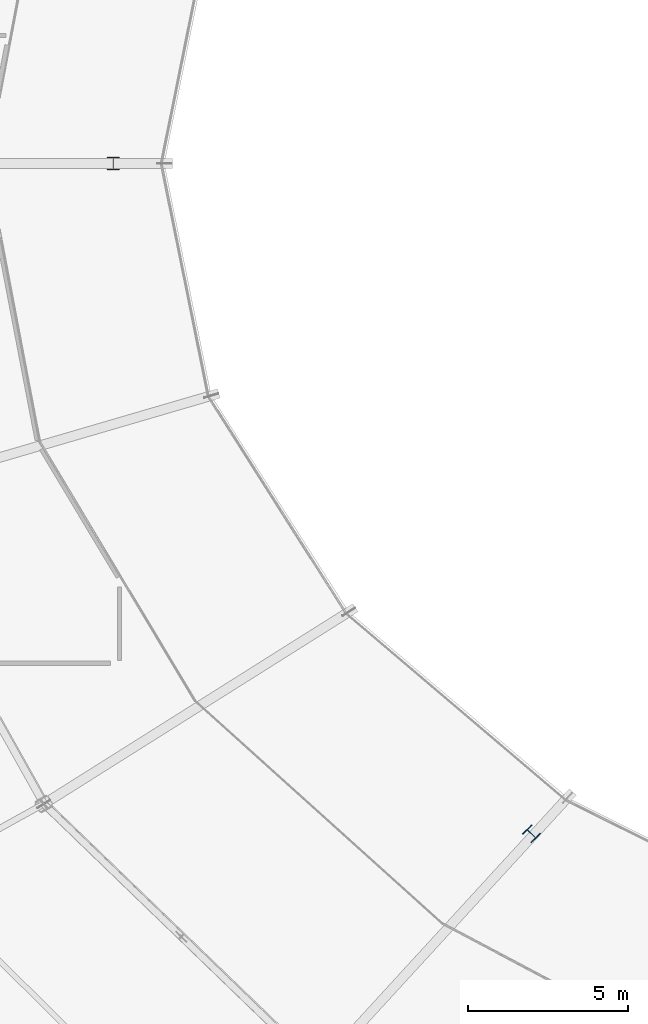
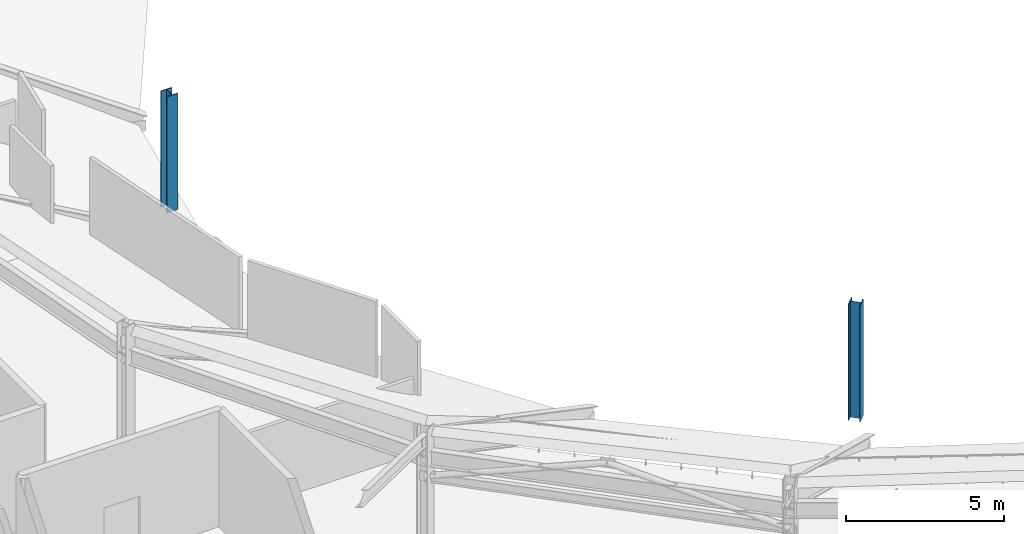
# One storey, part 3 of 63: 2 columns.
"""IFC4 building model written with IfcOpenShell, lengths in metres."""

import ifcopenshell
import ifcopenshell.guid

model = None  # the IFC model being written
_history = None  # IfcOwnerHistory: only IFC2X3 demands one
_inside = {}  # id of a spatial element -> (the spatial element, [elements in it])
_under = {}  # id of a project, library or spatial element -> (it, [spatial elements below it])
_declared = {}  # id of a project -> (the project, [libraries it declares])
_typed = {}  # id of a type object -> (the type object, [elements of that type])
_made_of = {}  # id of a material, layer set ... -> (it, [elements and type objects made of it])


def new_model(schema):
    """Start an empty IFC model of exactly this schema.

    Asked for "IFC4X3", IfcOpenShell would pick the latest addendum, in which some entities
    have other attributes; the version numbers below select the first issue.
    IFC2X3 requires an IfcOwnerHistory on every rooted entity: one is made here for all.
    """
    global model, _history
    if schema == "IFC4X3":
        model = ifcopenshell.file(schema_version=(4, 3, 0, 0))
    else:
        model = ifcopenshell.file(schema=schema)
    _inside.clear()
    _under.clear()
    _declared.clear()
    _typed.clear()
    _made_of.clear()
    _history = None
    if model.schema == "IFC2X3":
        org = make("IfcOrganization", Name="unknown")
        user = make(
            "IfcPersonAndOrganization",
            ThePerson=make("IfcPerson", FamilyName="unknown"),
            TheOrganization=org,
        )
        app = make(
            "IfcApplication",
            ApplicationDeveloper=org,
            Version="unknown",
            ApplicationFullName="unknown",
            ApplicationIdentifier="unknown",
        )
        _history = make(
            "IfcOwnerHistory",
            OwningUser=user,
            OwningApplication=app,
            ChangeAction="ADDED",
            CreationDate=0,
        )
    return model


def make(cls, **values):
    """One entity of the class cls with the attributes given. An attribute that is None is left unset."""
    return model.create_entity(
        cls, **{name: value for name, value in values.items() if value is not None}
    )


def rooted(cls, **values):
    """An entity with a GlobalId (a new one), such as an element, a storey or a relation."""
    return make(cls, GlobalId=ifcopenshell.guid.new(), OwnerHistory=_history, **values)


def si_unit(unit_type, name, prefix=None):
    """IfcSIUnit, for example si_unit("LENGTHUNIT", "METRE", prefix="MILLI")."""
    return make("IfcSIUnit", UnitType=unit_type, Prefix=prefix, Name=name)


def assignment(units):
    """IfcUnitAssignment: the units of a project."""
    return None if units is None else make("IfcUnitAssignment", Units=units)


def point(xyz):
    """IfcCartesianPoint."""
    return None if xyz is None else make("IfcCartesianPoint", Coordinates=xyz)


def direction(xyz):
    """IfcDirection."""
    return None if xyz is None else make("IfcDirection", DirectionRatios=xyz)


def frame(location, z_axis=None, x_axis=None):
    """IfcAxis2Placement3D, a coordinate frame: its origin and axes. An axis left out is left unset."""
    return make(
        "IfcAxis2Placement3D",
        Location=point(location),
        Axis=direction(z_axis),
        RefDirection=direction(x_axis),
    )


def frame_2d(location, x_axis=None):
    """IfcAxis2Placement2D, a coordinate frame in the plane: its origin and x axis."""
    return make(
        "IfcAxis2Placement2D", Location=point(location), RefDirection=direction(x_axis)
    )


def origin():
    """The frame at (0, 0, 0) with its axes left unset."""
    return frame((0.0, 0.0, 0.0))


def origin_2d():
    """The frame at (0, 0) in the plane with its x axis left unset."""
    return frame_2d((0.0, 0.0))


def place(relative_to, where):
    """IfcLocalPlacement: puts the frame where relative to a parent placement (None: the world)."""
    return make(
        "IfcLocalPlacement", PlacementRelTo=relative_to, RelativePlacement=where
    )


def context(
    kind, dimensions, precision=None, world=None, true_north=None, identifier=None
):
    """IfcGeometricRepresentationContext, for example the 3D "Model" context."""
    return make(
        "IfcGeometricRepresentationContext",
        ContextIdentifier=identifier,
        ContextType=kind,
        CoordinateSpaceDimension=dimensions,
        Precision=precision,
        WorldCoordinateSystem=world,
        TrueNorth=true_north,
    )


def subcontext(parent, identifier, kind, view, scale=None):
    """IfcGeometricRepresentationSubContext, for example "Body" below "Model"."""
    return make(
        "IfcGeometricRepresentationSubContext",
        ContextIdentifier=identifier,
        ContextType=kind,
        ParentContext=parent,
        TargetScale=scale,
        TargetView=view,
    )


def project(units=None, contexts=None):
    """IfcProject with its units and contexts."""
    return rooted(
        "IfcProject",
        Name="project",
        RepresentationContexts=contexts,
        UnitsInContext=assignment(units),
    )


def spatial(cls, under=None, at=None, **own):
    """A site, building, storey or space (cls), placed at a placement, below another one or the project."""
    s = rooted(cls, ObjectPlacement=at, **own)
    if under is not None:
        _under.setdefault(under.id(), (under, []))[1].append(s)
    return s


def profile(cls, at=None, kind="AREA", **sizes):
    """A parametric profile (cls). Its sizes go by their IFC names, for example OverallWidth=200.0."""
    return make(cls, ProfileType=kind, Position=at, **sizes)


def i_section(**sizes):
    """IfcIShapeProfileDef."""
    return profile("IfcIShapeProfileDef", **sizes)


def extrude(swept, where, along, depth):
    """IfcExtrudedAreaSolid: the profile swept, set in the frame where, extruded along a direction by depth."""
    return make(
        "IfcExtrudedAreaSolid",
        SweptArea=swept,
        Position=where,
        ExtrudedDirection=direction(along),
        Depth=depth,
    )


def shape(context_of_items, identifier, shape_type, items):
    """IfcShapeRepresentation: the items that make up one representation, for example the "Body"."""
    return make(
        "IfcShapeRepresentation",
        ContextOfItems=context_of_items,
        RepresentationIdentifier=identifier,
        RepresentationType=shape_type,
        Items=items,
    )


def material(Name=None, Category=None):
    """IfcMaterial."""
    return make("IfcMaterial", Name=Name, Category=Category)


def material_profile(
    of_material, cross_section, Name=None, Category=None, Priority=None
):
    """IfcMaterialProfile: a cross section and its material."""
    return make(
        "IfcMaterialProfile",
        Name=Name,
        Material=of_material,
        Profile=cross_section,
        Priority=Priority,
        Category=Category,
    )


def profile_set(profiles, Name=None, composite=None):
    """IfcMaterialProfileSet."""
    return make(
        "IfcMaterialProfileSet",
        Name=Name,
        MaterialProfiles=profiles,
        CompositeProfile=composite,
    )


def made_of(thing, what):
    """Note that an element or type object is made of a material, layer set ...; save() writes the relation."""
    if what is not None:
        _made_of.setdefault(what.id(), (what, []))[1].append(thing)
    return thing


def type_object(cls, material=None, **own):
    """A type object (cls), such as IfcWallType, which elements share."""
    return made_of(rooted(cls, **own), material)


def element(
    cls,
    number,
    at=None,
    inside=None,
    cuts=None,
    type_object=None,
    material=None,
    context=None,
    identifier="Body",
    shape_type=None,
    held_by="IfcProductDefinitionShape",
    body=None,
    shapes=None,
    **own,
):
    """One element of the class cls, such as IfcWall. Its Tag is "e" and its number.

    at: its placement. inside: the storey or other place that contains it. cuts: it is an
    opening in that element (IfcRelVoidsElement). A single representation is given by context,
    identifier, shape_type and body (its items); several are given by shapes. held_by: the class
    of the entity that holds the representations. save() writes the other relations.
    """
    e = rooted(cls, Tag="e%d" % number, ObjectPlacement=at, **own)
    if body is not None:
        shapes = [shape(context, identifier, shape_type, body)]
    if shapes is not None:
        e.Representation = make(held_by, Representations=shapes)
    if inside is not None:
        _inside.setdefault(inside.id(), (inside, []))[1].append(e)
    if cuts is not None:
        rooted(
            "IfcRelVoidsElement", RelatingBuildingElement=cuts, RelatedOpeningElement=e
        )
    if type_object is not None:
        _typed.setdefault(type_object.id(), (type_object, []))[1].append(e)
    return made_of(e, material)


def aggregate(whole, parts):
    """IfcRelAggregates: a whole, such as a stair, and the parts it consists of."""
    return rooted("IfcRelAggregates", RelatingObject=whole, RelatedObjects=parts)


def save(model, path):
    """Write the relations noted so far, then the file.

    IfcRelAggregates (storeys below a building ...), IfcRelContainedInSpatialStructure (elements
    in a storey), IfcRelDefinesByType, IfcRelAssociatesMaterial and IfcRelDeclares: one each for
    every whole, place, type object, material and project.
    """
    for whole, parts in _under.values():
        aggregate(whole, parts)
    for where, things in _inside.values():
        rooted(
            "IfcRelContainedInSpatialStructure",
            RelatedElements=things,
            RelatingStructure=where,
        )
    for kind, things in _typed.values():
        rooted("IfcRelDefinesByType", RelatedObjects=things, RelatingType=kind)
    for what, things in _made_of.values():
        rooted("IfcRelAssociatesMaterial", RelatedObjects=things, RelatingMaterial=what)
    for by, libraries in _declared.values():
        rooted("IfcRelDeclares", RelatingContext=by, RelatedDefinitions=libraries)
    model.write(path)


model = new_model("IFC4")

# Units and contexts
model_context = context("Model", 3, precision=1e-05, world=origin(), true_north=direction((0.0, 1.0)))
body_context = subcontext(model_context, "Body", "Model", "MODEL_VIEW")
ifc_project = project(units=[si_unit("LENGTHUNIT", "METRE"), si_unit("AREAUNIT", "SQUARE_METRE"), si_unit("VOLUMEUNIT", "CUBIC_METRE"), si_unit("PLANEANGLEUNIT", "RADIAN"), si_unit("MASSUNIT", "GRAM", prefix="KILO")], contexts=[model_context])

# Site, building, storey
site_placement = place(None, origin())
site = spatial("IfcSite", under=ifc_project, at=site_placement, CompositionType="ELEMENT")
building_placement = place(site_placement, origin())
building = spatial("IfcBuilding", under=site, at=building_placement, Name="Kalgoora Escarpment Arena", CompositionType="ELEMENT")
storey_placement = place(building_placement, frame((0.0, 0.0, 14.39990234375)))
storey = spatial("IfcBuildingStorey", under=building, at=storey_placement, Name="L03", CompositionType="ELEMENT", Elevation=14.39990234375)

# Columns
ifc_material = material(Name="Structural steel Grade 350 (350 MPa)", Category="steel")
ifc_material_profile = material_profile(ifc_material, i_section(OverallWidth=0.39990234375, OverallDepth=0.39990234375, WebThickness=0.01611328125, FlangeThickness=0.028076171875, at=origin_2d()))
ifc_profile_set = profile_set([ifc_material_profile], Name="Structural steel Grade 350 (350 MPa)")
column_type = type_object("IfcColumnType", Name="COL-COL-400WC212", PredefinedType="COLUMN", material=ifc_profile_set)
for number, where, z_axis, x_axis, name in (
    (1, (47.800048828125, 64.0, 0.0), (0.0, 0.0, 1.0), (-1.0, 0.0, 0.0), "L03 structural column COL-TSPINE-S05"),
    (2, (60.863037109375, 43.069580078125, 0.0), (0.0, 0.0, 1.0), (-0.707106781187, -0.707106781187, 0.0), "L03 structural column COL-TSPINE-S06"),
):
    element("IfcColumn", number, at=place(storey_placement, frame(where, z_axis=z_axis, x_axis=x_axis)), inside=storey, type_object=column_type, Name=name, PredefinedType="COLUMN", context=body_context, shape_type="SweptSolid", body=[
        extrude(i_section(OverallWidth=0.39990234375, OverallDepth=0.39990234375, WebThickness=0.01611328125, FlangeThickness=0.028076171875, at=origin_2d()), origin(), (0.0, 0.0, 1.0), 4.5),
    ])

save(model, "model.ifc")
